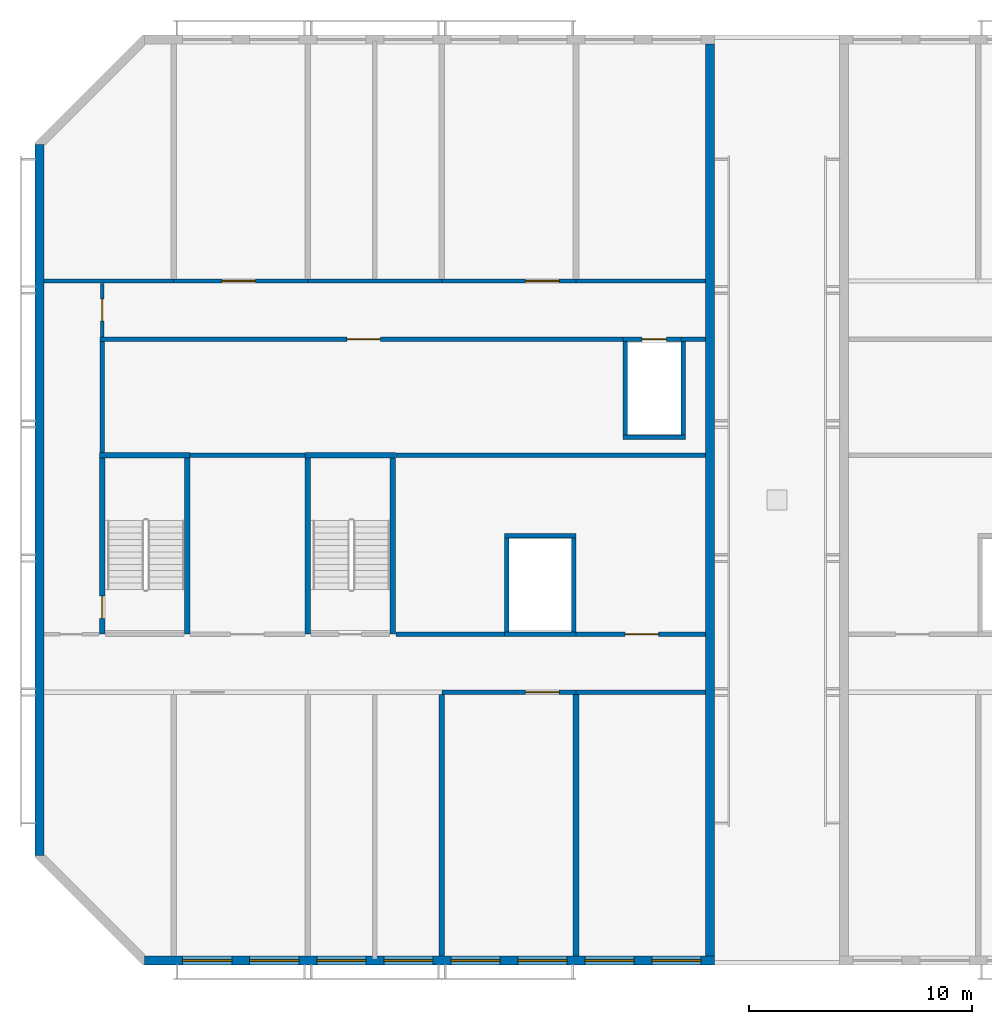
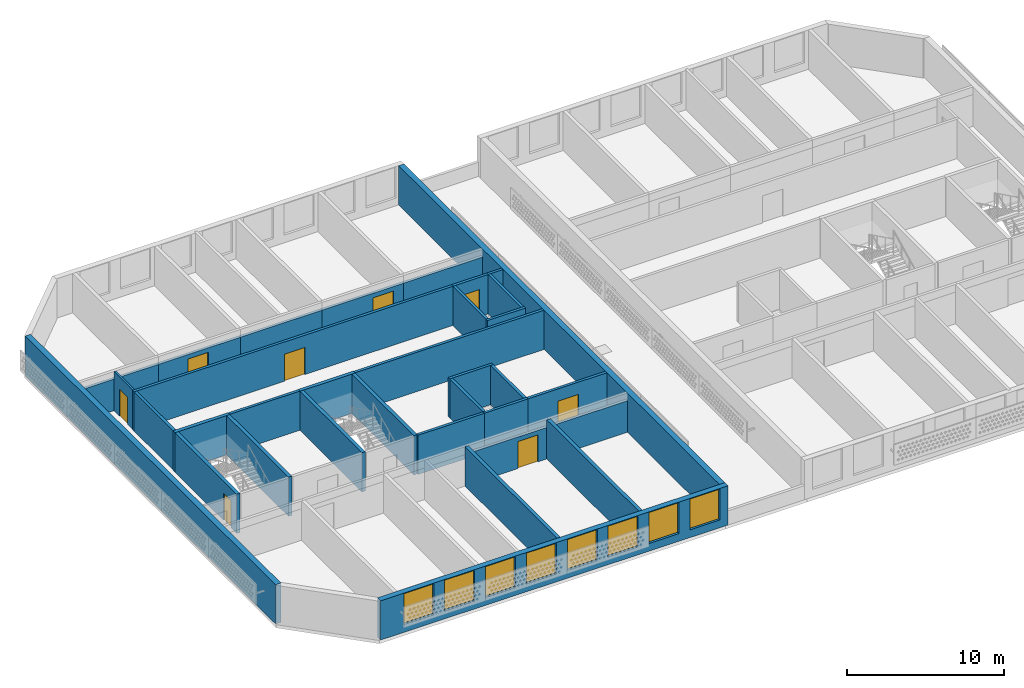
# One storey, part 2 of 18: 34 walls, 8 doors, 8 windows, 16 openings.
"""IFC4 building model written with IfcOpenShell, lengths in metres."""

from ifc_helpers import new_model, si_unit, direction, frame, frame_2d, origin, place, context, subcontext, project, spatial, rectangle, extrude, material, layer, layer_set, type_object, element, fill, save


model = new_model("IFC4")

# Units and contexts
model_context = context("Model", 3, precision=1e-05, world=origin(), true_north=direction((0.0, 1.0)))
body_context = subcontext(model_context, "Body", "Model", "MODEL_VIEW")
ifc_project = project(units=[si_unit("LENGTHUNIT", "METRE"), si_unit("AREAUNIT", "SQUARE_METRE"), si_unit("VOLUMEUNIT", "CUBIC_METRE"), si_unit("PLANEANGLEUNIT", "RADIAN"), si_unit("MASSUNIT", "GRAM", prefix="KILO")], contexts=[model_context])

# Site, building, storey
site_placement = place(None, origin())
site = spatial("IfcSite", under=ifc_project, at=site_placement, CompositionType="ELEMENT")
building_placement = place(site_placement, origin())
building = spatial("IfcBuilding", under=site, at=building_placement, Name="Poui Terraces", CompositionType="ELEMENT")
storey_placement = place(building_placement, frame((0.0, 0.0, 272.39990234375)))
storey = spatial("IfcBuildingStorey", under=building, at=storey_placement, Name="L75 CROWN", CompositionType="ELEMENT", Elevation=272.39990234375)

# Wall, opening, door
ifc_material_1 = material(Name="Fire-rated plasterboard wall")
ifc_layer_1 = layer(ifc_material_1, 0.14990234375)
ifc_layer_set_1 = layer_set([ifc_layer_1], Name="Fire-rated plasterboard wall")
wall_type_1 = type_object("IfcWallType", Name="CORRIDOR WALL 150", PredefinedType="PARTITIONING", material=ifc_layer_set_1)
wall_1_placement = place(storey_placement, frame((20.800048828125, 27.89990234375, 0.0), z_axis=(0.0, 0.0, 1.0), x_axis=(0.0, 1.0, 0.0)))
wall_1 = element("IfcWall", 1, at=wall_1_placement, inside=storey, type_object=wall_type_1, Name="CORRIDOR WALL 150", PredefinedType="PARTITIONING", context=body_context, shape_type="SweptSolid", body=[
    extrude(rectangle(XDim=2.39013671875, YDim=0.14990234375, at=frame_2d((1.195068359375, 0.0))), origin(), (0.0, 0.0, 1.0), 3.050048828125),
])
opening_1_placement = place(wall_1_placement, frame((0.699951171875, 0.0, 0.0)))
opening_1 = element("IfcOpeningElement", 2, at=opening_1_placement, cuts=wall_1, Name="Opening FDL", PredefinedType="OPENING", context=body_context, shape_type="SweptSolid", body=[
    extrude(rectangle(XDim=1.0, YDim=2.10009765625, at=frame_2d((0.5, 1.050048828125))), frame((0.0, 0.0849609375, 0.0), z_axis=(0.0, -1.0, 0.0), x_axis=(1.0, 0.0, 0.0)), (0.0, 0.0, 1.0), 0.169921875),
])
ifc_material_2 = material(Name="Steel fire door", Category="steel")
door_type_1 = type_object("IfcDoorType", Name="LOBBY FIRE DOOR 1000 X 2100", OperationType="NOTDEFINED", PredefinedType="DOOR", material=ifc_material_2)
door_1_placement = place(opening_1_placement, origin())
door_1 = element("IfcDoor", 3, at=door_1_placement, inside=storey, type_object=door_type_1, Name="LOBBY FIRE DOOR 022", OperationType="SINGLE_SWING_LEFT", OverallHeight=2.10009765625, OverallWidth=1.0, PredefinedType="DOOR", context=body_context, shape_type="SweptSolid", body=[
    extrude(rectangle(XDim=1.0, YDim=2.10009765625, at=frame_2d((0.5, 1.050048828125))), frame((0.0, 0.02490234375, 0.0), z_axis=(0.0, -1.0, 0.0), x_axis=(1.0, 0.0, 0.0)), (0.0, 0.0, 1.0), 0.050048828125),
])
fill(opening_1, door_1)

ifc_material_3 = material(Name="Concrete 50 MPa", Category="concrete")
ifc_layer_2 = layer(ifc_material_3, 0.199951171875)
ifc_layer_set_2 = layer_set([ifc_layer_2], Name="Concrete 50 MPa")
wall_type_2 = type_object("IfcWallType", Name="CORRIDOR WALL 200 50MPa", PredefinedType="SHEAR", material=ifc_layer_set_2)
wall_2_placement = place(storey_placement, frame((36.0, 12.0, 0.0), z_axis=(0.0, 0.0, 1.0), x_axis=(1.0, 0.0, 0.0)))
wall_2 = element("IfcWall", 4, at=wall_2_placement, inside=storey, type_object=wall_type_2, Name="CORRIDOR WALL LINE B BAY W4", PredefinedType="SHEAR", context=body_context, shape_type="SweptSolid", body=[
    extrude(rectangle(XDim=6.0, YDim=0.199951171875, at=frame_2d((3.0, 0.0))), origin(), (0.0, 0.0, 1.0), 2.4501953125),
])
opening_2_placement = place(wall_2_placement, frame((3.75, 0.0, 0.0)))
opening_2 = element("IfcOpeningElement", 5, at=opening_2_placement, cuts=wall_2, Name="Opening FDP", PredefinedType="OPENING", context=body_context, shape_type="SweptSolid", body=[
    extrude(rectangle(XDim=1.5, YDim=2.10009765625, at=frame_2d((0.75, 1.050048828125))), frame((0.0, 0.10986328125, 0.0), z_axis=(0.0, -1.0, 0.0), x_axis=(1.0, 0.0, 0.0)), (0.0, 0.0, 1.0), 0.219970703125),
])
door_type_2 = type_object("IfcDoorType", Name="PLANT ROOM DOOR PAIR 1500 X 2100", OperationType="DOUBLE_DOOR_SINGLE_SWING", PredefinedType="DOOR", material=ifc_material_2)
door_2_placement = place(opening_2_placement, origin())
door_2 = element("IfcDoor", 6, at=door_2_placement, inside=storey, type_object=door_type_2, Name="PLANT ROOM DOOR PAIR 018", OperationType="DOUBLE_DOOR_SINGLE_SWING", OverallHeight=2.10009765625, OverallWidth=1.5, PredefinedType="DOOR", context=body_context, shape_type="SweptSolid", body=[
    extrude(rectangle(XDim=1.5, YDim=2.10009765625, at=frame_2d((0.75, 1.050048828125))), frame((0.0, 0.02490234375, 0.0), z_axis=(0.0, -1.0, 0.0), x_axis=(1.0, 0.0, 0.0)), (0.0, 0.0, 1.0), 0.050048828125),
])
fill(opening_2, door_2)

# Walls
for number, where, z_axis, x_axis, name in (
    (7, (42.0, 12.0, 0.0), (0.0, 0.0, 1.0), (1.0, 0.0, 0.0), "CORRIDOR WALL LINE B BAY W5"),
    (8, (18.199951171875, 30.39990234375, 0.0), (0.0, 0.0, 1.0), (1.0, 0.0, 0.0), "CORRIDOR WALL LINE E BAY W1"),
):
    element("IfcWall", number, at=place(storey_placement, frame(where, z_axis=z_axis, x_axis=x_axis)), inside=storey, type_object=wall_type_2, Name=name, PredefinedType="SHEAR", context=body_context, shape_type="SweptSolid", body=[
        extrude(rectangle(XDim=5.800048828125, YDim=0.199951171875, at=frame_2d((2.89990234375, 0.0))), origin(), (0.0, 0.0, 1.0), 2.4501953125),
    ])

# Wall, opening, door
wall_3_placement = place(storey_placement, frame((24.0, 30.39990234375, 0.0), z_axis=(0.0, 0.0, 1.0), x_axis=(1.0, 0.0, 0.0)))
wall_3 = element("IfcWall", 9, at=wall_3_placement, inside=storey, type_object=wall_type_2, Name="CORRIDOR WALL LINE E BAY W2", PredefinedType="SHEAR", context=body_context, shape_type="SweptSolid", body=[
    extrude(rectangle(XDim=6.0, YDim=0.199951171875, at=frame_2d((3.0, 0.0))), origin(), (0.0, 0.0, 1.0), 2.4501953125),
])
opening_3_placement = place(wall_3_placement, frame((2.14990234375, 0.0, 0.0)))
opening_3 = element("IfcOpeningElement", 10, at=opening_3_placement, cuts=wall_3, Name="Opening FDP", PredefinedType="OPENING", context=body_context, shape_type="SweptSolid", body=[
    extrude(rectangle(XDim=1.5, YDim=2.10009765625, at=frame_2d((0.75, 1.050048828125))), frame((0.0, 0.10986328125, 0.0), z_axis=(0.0, -1.0, 0.0), x_axis=(1.0, 0.0, 0.0)), (0.0, 0.0, 1.0), 0.219970703125),
])
door_3_placement = place(opening_3_placement, frame((1.5, 0.0, 0.0), z_axis=(0.0, 0.0, 1.0), x_axis=(-1.0, 0.0, 0.0)))
door_3 = element("IfcDoor", 11, at=door_3_placement, inside=storey, type_object=door_type_2, Name="PLANT ROOM DOOR PAIR 012", OperationType="DOUBLE_DOOR_SINGLE_SWING", OverallHeight=2.10009765625, OverallWidth=1.5, PredefinedType="DOOR", context=body_context, shape_type="SweptSolid", body=[
    extrude(rectangle(XDim=1.5, YDim=2.10009765625, at=frame_2d((0.75, 1.050048828125))), frame((0.0, 0.02490234375, 0.0), z_axis=(0.0, -1.0, 0.0), x_axis=(1.0, 0.0, 0.0)), (0.0, 0.0, 1.0), 0.050048828125),
])
fill(opening_3, door_3)

# Wall
wall_4_placement = place(storey_placement, frame((30.0, 30.39990234375, 0.0), z_axis=(0.0, 0.0, 1.0), x_axis=(1.0, 0.0, 0.0)))
element("IfcWall", 12, at=wall_4_placement, inside=storey, type_object=wall_type_2, Name="CORRIDOR WALL LINE E BAY W3", PredefinedType="SHEAR", context=body_context, shape_type="SweptSolid", body=[
    extrude(rectangle(XDim=6.0, YDim=0.199951171875, at=frame_2d((3.0, 0.0))), origin(), (0.0, 0.0, 1.0), 2.4501953125),
])

# Wall, opening, door
wall_5_placement = place(storey_placement, frame((36.0, 30.39990234375, 0.0), z_axis=(0.0, 0.0, 1.0), x_axis=(1.0, 0.0, 0.0)))
wall_5 = element("IfcWall", 13, at=wall_5_placement, inside=storey, type_object=wall_type_2, Name="CORRIDOR WALL LINE E BAY W4", PredefinedType="SHEAR", context=body_context, shape_type="SweptSolid", body=[
    extrude(rectangle(XDim=6.0, YDim=0.199951171875, at=frame_2d((3.0, 0.0))), origin(), (0.0, 0.0, 1.0), 2.4501953125),
])
opening_4_placement = place(wall_5_placement, frame((3.75, 0.0, 0.0)))
opening_4 = element("IfcOpeningElement", 14, at=opening_4_placement, cuts=wall_5, Name="Opening FDP", PredefinedType="OPENING", context=body_context, shape_type="SweptSolid", body=[
    extrude(rectangle(XDim=1.5, YDim=2.10009765625, at=frame_2d((0.75, 1.050048828125))), frame((0.0, 0.10986328125, 0.0), z_axis=(0.0, -1.0, 0.0), x_axis=(1.0, 0.0, 0.0)), (0.0, 0.0, 1.0), 0.219970703125),
])
door_4_placement = place(opening_4_placement, frame((1.5, 0.0, 0.0), z_axis=(0.0, 0.0, 1.0), x_axis=(-1.0, 0.0, 0.0)))
door_4 = element("IfcDoor", 15, at=door_4_placement, inside=storey, type_object=door_type_2, Name="PLANT ROOM DOOR PAIR 014", OperationType="DOUBLE_DOOR_SINGLE_SWING", OverallHeight=2.10009765625, OverallWidth=1.5, PredefinedType="DOOR", context=body_context, shape_type="SweptSolid", body=[
    extrude(rectangle(XDim=1.5, YDim=2.10009765625, at=frame_2d((0.75, 1.050048828125))), frame((0.0, 0.02490234375, 0.0), z_axis=(0.0, -1.0, 0.0), x_axis=(1.0, 0.0, 0.0)), (0.0, 0.0, 1.0), 0.050048828125),
])
fill(opening_4, door_4)

# Walls
wall_6_placement = place(storey_placement, frame((42.0, 30.39990234375, 0.0), z_axis=(0.0, 0.0, 1.0), x_axis=(1.0, 0.0, 0.0)))
element("IfcWall", 16, at=wall_6_placement, inside=storey, type_object=wall_type_2, Name="CORRIDOR WALL LINE E BAY W5", PredefinedType="SHEAR", context=body_context, shape_type="SweptSolid", body=[
    extrude(rectangle(XDim=5.800048828125, YDim=0.199951171875, at=frame_2d((2.89990234375, 0.0))), origin(), (0.0, 0.0, 1.0), 2.4501953125),
])
ifc_layer_3 = layer(ifc_material_3, 0.25)
ifc_layer_set_3 = layer_set([ifc_layer_3], Name="Concrete 50 MPa")
wall_type_3 = type_object("IfcWallType", Name="CROSS WALL 250 50MPa", PredefinedType="SHEAR", material=ifc_layer_set_3)
for number, where, z_axis, x_axis, name in (
    (17, (36.0, 0.199951171875, 0.0), (0.0, 0.0, 1.0), (0.0, 1.0, 0.0), "CROSS WALL LINE 7 SOUTH"),
    (18, (42.0, 0.199951171875, 0.0), (0.0, 0.0, 1.0), (0.0, 1.0, 0.0), "CROSS WALL LINE 8 SOUTH"),
):
    element("IfcWall", number, at=place(storey_placement, frame(where, z_axis=z_axis, x_axis=x_axis)), inside=storey, type_object=wall_type_3, Name=name, PredefinedType="SHEAR", context=body_context, shape_type="SweptSolid", body=[
        extrude(rectangle(XDim=11.699951171875, YDim=0.25, at=frame_2d((5.85009765625, 0.0))), origin(), (0.0, 0.0, 1.0), 3.050048828125),
    ])
ifc_layer_4 = layer(ifc_material_3, 0.39990234375)
ifc_layer_set_4 = layer_set([ifc_layer_4], Name="Concrete 50 MPa")
wall_type_4 = type_object("IfcWallType", Name="END WALL 400 50MPa", PredefinedType="SHEAR", material=ifc_layer_set_4)
wall_7_placement = place(storey_placement, frame((18.0, 4.682861328125, 0.0), z_axis=(0.0, 0.0, 1.0), x_axis=(0.0, 1.0, 0.0)))
element("IfcWall", 19, at=wall_7_placement, inside=storey, type_object=wall_type_4, Name="END WALL LINE 4", PredefinedType="SHEAR", context=body_context, shape_type="SweptSolid", body=[
    extrude(rectangle(XDim=31.834228515625, YDim=0.39990234375, at=frame_2d((15.9169921875, 0.0))), origin(), (0.0, 0.0, 1.0), 3.050048828125),
])
wall_8_placement = place(storey_placement, frame((48.0, 0.199951171875, 0.0), z_axis=(0.0, 0.0, 1.0), x_axis=(0.0, 1.0, 0.0)))
element("IfcWall", 20, at=wall_8_placement, inside=storey, type_object=wall_type_4, Name="END WALL LINE 9", PredefinedType="SHEAR", context=body_context, shape_type="SweptSolid", body=[
    extrude(rectangle(XDim=40.800048828125, YDim=0.39990234375, at=frame_2d((20.39990234375, 0.0))), origin(), (0.0, 0.0, 1.0), 3.050048828125),
])

# Wall, openings, windows
ifc_material_4 = material(Name="Precast concrete 40 MPa", Category="concrete")
ifc_layer_5 = layer(ifc_material_4, 0.39990234375)
ifc_layer_set_5 = layer_set([ifc_layer_5], Name="Precast concrete 40 MPa")
wall_type_5 = type_object("IfcWallType", Name="EXTERNAL WALL 400", PredefinedType="STANDARD", material=ifc_layer_set_5)
wall_9_placement = place(storey_placement, frame((22.682861328125, 0.0, 0.0), z_axis=(0.0, 0.0, 1.0), x_axis=(1.0, 0.0, 0.0)))
wall_9 = element("IfcWall", 21, at=wall_9_placement, inside=storey, type_object=wall_type_5, Name="EXTERNAL WALL S", PredefinedType="STANDARD", context=body_context, shape_type="SweptSolid", body=[
    extrude(rectangle(XDim=25.51708984375, YDim=0.39990234375, at=frame_2d((12.758544921875, 0.0))), origin(), (0.0, 0.0, 1.0), 3.050048828125),
])
opening_5_placement = place(wall_9_placement, frame((1.71728515625, 0.0, 0.60009765625)))
opening_5 = element("IfcOpeningElement", 22, at=opening_5_placement, cuts=wall_9, Name="Opening W5", PredefinedType="OPENING", context=body_context, shape_type="SweptSolid", body=[
    extrude(rectangle(XDim=2.199951171875, YDim=2.39990234375, at=frame_2d((1.10009765625, 1.199951171875))), frame((0.0, 0.2099609375, 0.0), z_axis=(0.0, -1.0, 0.0), x_axis=(1.0, 0.0, 0.0)), (0.0, 0.0, 1.0), 0.419921875),
])
opening_6_placement = place(wall_9_placement, frame((4.71728515625, 0.0, 0.60009765625)))
opening_6 = element("IfcOpeningElement", 23, at=opening_6_placement, cuts=wall_9, Name="Opening W5", PredefinedType="OPENING", context=body_context, shape_type="SweptSolid", body=[
    extrude(rectangle(XDim=2.199951171875, YDim=2.39990234375, at=frame_2d((1.10009765625, 1.199951171875))), frame((0.0, 0.2099609375, 0.0), z_axis=(0.0, -1.0, 0.0), x_axis=(1.0, 0.0, 0.0)), (0.0, 0.0, 1.0), 0.419921875),
])
opening_7_placement = place(wall_9_placement, frame((7.71728515625, 0.0, 0.60009765625)))
opening_7 = element("IfcOpeningElement", 24, at=opening_7_placement, cuts=wall_9, Name="Opening W5", PredefinedType="OPENING", context=body_context, shape_type="SweptSolid", body=[
    extrude(rectangle(XDim=2.199951171875, YDim=2.39990234375, at=frame_2d((1.10009765625, 1.199951171875))), frame((0.0, 0.2099609375, 0.0), z_axis=(0.0, -1.0, 0.0), x_axis=(1.0, 0.0, 0.0)), (0.0, 0.0, 1.0), 0.419921875),
])
opening_8_placement = place(wall_9_placement, frame((10.71728515625, 0.0, 0.60009765625)))
opening_8 = element("IfcOpeningElement", 25, at=opening_8_placement, cuts=wall_9, Name="Opening W5", PredefinedType="OPENING", context=body_context, shape_type="SweptSolid", body=[
    extrude(rectangle(XDim=2.199951171875, YDim=2.39990234375, at=frame_2d((1.10009765625, 1.199951171875))), frame((0.0, 0.2099609375, 0.0), z_axis=(0.0, -1.0, 0.0), x_axis=(1.0, 0.0, 0.0)), (0.0, 0.0, 1.0), 0.419921875),
])
opening_9_placement = place(wall_9_placement, frame((13.71728515625, 0.0, 0.60009765625)))
opening_9 = element("IfcOpeningElement", 26, at=opening_9_placement, cuts=wall_9, Name="Opening W5", PredefinedType="OPENING", context=body_context, shape_type="SweptSolid", body=[
    extrude(rectangle(XDim=2.199951171875, YDim=2.39990234375, at=frame_2d((1.10009765625, 1.199951171875))), frame((0.0, 0.2099609375, 0.0), z_axis=(0.0, -1.0, 0.0), x_axis=(1.0, 0.0, 0.0)), (0.0, 0.0, 1.0), 0.419921875),
])
opening_10_placement = place(wall_9_placement, frame((16.71728515625, 0.0, 0.60009765625)))
opening_10 = element("IfcOpeningElement", 27, at=opening_10_placement, cuts=wall_9, Name="Opening W5", PredefinedType="OPENING", context=body_context, shape_type="SweptSolid", body=[
    extrude(rectangle(XDim=2.199951171875, YDim=2.39990234375, at=frame_2d((1.10009765625, 1.199951171875))), frame((0.0, 0.2099609375, 0.0), z_axis=(0.0, -1.0, 0.0), x_axis=(1.0, 0.0, 0.0)), (0.0, 0.0, 1.0), 0.419921875),
])
opening_11_placement = place(wall_9_placement, frame((19.71728515625, 0.0, 0.60009765625)))
opening_11 = element("IfcOpeningElement", 28, at=opening_11_placement, cuts=wall_9, Name="Opening W5", PredefinedType="OPENING", context=body_context, shape_type="SweptSolid", body=[
    extrude(rectangle(XDim=2.199951171875, YDim=2.39990234375, at=frame_2d((1.10009765625, 1.199951171875))), frame((0.0, 0.2099609375, 0.0), z_axis=(0.0, -1.0, 0.0), x_axis=(1.0, 0.0, 0.0)), (0.0, 0.0, 1.0), 0.419921875),
])
opening_12_placement = place(wall_9_placement, frame((22.71728515625, 0.0, 0.60009765625)))
opening_12 = element("IfcOpeningElement", 29, at=opening_12_placement, cuts=wall_9, Name="Opening W5", PredefinedType="OPENING", context=body_context, shape_type="SweptSolid", body=[
    extrude(rectangle(XDim=2.199951171875, YDim=2.39990234375, at=frame_2d((1.10009765625, 1.199951171875))), frame((0.0, 0.2099609375, 0.0), z_axis=(0.0, -1.0, 0.0), x_axis=(1.0, 0.0, 0.0)), (0.0, 0.0, 1.0), 0.419921875),
])
ifc_material_5 = material(Name="Clear glass in aluminium frame", Category="aluminium")
window_type = type_object("IfcWindowType", Name="WINDOW 2200X2400", PartitioningType="TRIPLE_PANEL_HORIZONTAL", PredefinedType="WINDOW", material=ifc_material_5)
window_1_placement = place(opening_5_placement, origin())
window_1 = element("IfcWindow", 30, at=window_1_placement, inside=storey, type_object=window_type, Name="W5 WINDOW", OverallHeight=2.39990234375, OverallWidth=2.199951171875, PartitioningType="TRIPLE_PANEL_HORIZONTAL", PredefinedType="WINDOW", context=body_context, shape_type="SweptSolid", body=[
    extrude(rectangle(XDim=2.199951171875, YDim=2.39990234375, at=frame_2d((1.10009765625, 1.199951171875))), frame((0.0, 0.030029296875, 0.0), z_axis=(0.0, -1.0, 0.0), x_axis=(1.0, 0.0, 0.0)), (0.0, 0.0, 1.0), 0.06005859375),
])
fill(opening_5, window_1)
window_2_placement = place(opening_6_placement, origin())
window_2 = element("IfcWindow", 31, at=window_2_placement, inside=storey, type_object=window_type, Name="W5 WINDOW", OverallHeight=2.39990234375, OverallWidth=2.199951171875, PartitioningType="TRIPLE_PANEL_HORIZONTAL", PredefinedType="WINDOW", context=body_context, shape_type="SweptSolid", body=[
    extrude(rectangle(XDim=2.199951171875, YDim=2.39990234375, at=frame_2d((1.10009765625, 1.199951171875))), frame((0.0, 0.030029296875, 0.0), z_axis=(0.0, -1.0, 0.0), x_axis=(1.0, 0.0, 0.0)), (0.0, 0.0, 1.0), 0.06005859375),
])
fill(opening_6, window_2)
window_3_placement = place(opening_7_placement, origin())
window_3 = element("IfcWindow", 32, at=window_3_placement, inside=storey, type_object=window_type, Name="W5 WINDOW", OverallHeight=2.39990234375, OverallWidth=2.199951171875, PartitioningType="TRIPLE_PANEL_HORIZONTAL", PredefinedType="WINDOW", context=body_context, shape_type="SweptSolid", body=[
    extrude(rectangle(XDim=2.199951171875, YDim=2.39990234375, at=frame_2d((1.10009765625, 1.199951171875))), frame((0.0, 0.030029296875, 0.0), z_axis=(0.0, -1.0, 0.0), x_axis=(1.0, 0.0, 0.0)), (0.0, 0.0, 1.0), 0.06005859375),
])
fill(opening_7, window_3)
window_4_placement = place(opening_8_placement, origin())
window_4 = element("IfcWindow", 33, at=window_4_placement, inside=storey, type_object=window_type, Name="W5 WINDOW", OverallHeight=2.39990234375, OverallWidth=2.199951171875, PartitioningType="TRIPLE_PANEL_HORIZONTAL", PredefinedType="WINDOW", context=body_context, shape_type="SweptSolid", body=[
    extrude(rectangle(XDim=2.199951171875, YDim=2.39990234375, at=frame_2d((1.10009765625, 1.199951171875))), frame((0.0, 0.030029296875, 0.0), z_axis=(0.0, -1.0, 0.0), x_axis=(1.0, 0.0, 0.0)), (0.0, 0.0, 1.0), 0.06005859375),
])
fill(opening_8, window_4)
window_5_placement = place(opening_9_placement, origin())
window_5 = element("IfcWindow", 34, at=window_5_placement, inside=storey, type_object=window_type, Name="W5 WINDOW", OverallHeight=2.39990234375, OverallWidth=2.199951171875, PartitioningType="TRIPLE_PANEL_HORIZONTAL", PredefinedType="WINDOW", context=body_context, shape_type="SweptSolid", body=[
    extrude(rectangle(XDim=2.199951171875, YDim=2.39990234375, at=frame_2d((1.10009765625, 1.199951171875))), frame((0.0, 0.030029296875, 0.0), z_axis=(0.0, -1.0, 0.0), x_axis=(1.0, 0.0, 0.0)), (0.0, 0.0, 1.0), 0.06005859375),
])
fill(opening_9, window_5)
window_6_placement = place(opening_10_placement, origin())
window_6 = element("IfcWindow", 35, at=window_6_placement, inside=storey, type_object=window_type, Name="W5 WINDOW", OverallHeight=2.39990234375, OverallWidth=2.199951171875, PartitioningType="TRIPLE_PANEL_HORIZONTAL", PredefinedType="WINDOW", context=body_context, shape_type="SweptSolid", body=[
    extrude(rectangle(XDim=2.199951171875, YDim=2.39990234375, at=frame_2d((1.10009765625, 1.199951171875))), frame((0.0, 0.030029296875, 0.0), z_axis=(0.0, -1.0, 0.0), x_axis=(1.0, 0.0, 0.0)), (0.0, 0.0, 1.0), 0.06005859375),
])
fill(opening_10, window_6)
window_7_placement = place(opening_11_placement, origin())
window_7 = element("IfcWindow", 36, at=window_7_placement, inside=storey, type_object=window_type, Name="W5 WINDOW", OverallHeight=2.39990234375, OverallWidth=2.199951171875, PartitioningType="TRIPLE_PANEL_HORIZONTAL", PredefinedType="WINDOW", context=body_context, shape_type="SweptSolid", body=[
    extrude(rectangle(XDim=2.199951171875, YDim=2.39990234375, at=frame_2d((1.10009765625, 1.199951171875))), frame((0.0, 0.030029296875, 0.0), z_axis=(0.0, -1.0, 0.0), x_axis=(1.0, 0.0, 0.0)), (0.0, 0.0, 1.0), 0.06005859375),
])
fill(opening_11, window_7)
window_8_placement = place(opening_12_placement, origin())
window_8 = element("IfcWindow", 37, at=window_8_placement, inside=storey, type_object=window_type, Name="W5 WINDOW", OverallHeight=2.39990234375, OverallWidth=2.199951171875, PartitioningType="TRIPLE_PANEL_HORIZONTAL", PredefinedType="WINDOW", context=body_context, shape_type="SweptSolid", body=[
    extrude(rectangle(XDim=2.199951171875, YDim=2.39990234375, at=frame_2d((1.10009765625, 1.199951171875))), frame((0.0, 0.030029296875, 0.0), z_axis=(0.0, -1.0, 0.0), x_axis=(1.0, 0.0, 0.0)), (0.0, 0.0, 1.0), 0.06005859375),
])
fill(opening_12, window_8)

# Wall
ifc_material_6 = material(Name="Fire-rated masonry wall", Category="masonry")
ifc_layer_6 = layer(ifc_material_6, 0.199951171875)
ifc_layer_set_6 = layer_set([ifc_layer_6], Name="Fire-rated masonry wall")
wall_type_6 = type_object("IfcWallType", Name="PLANT ROOM WALL 200", PredefinedType="PARTITIONING", material=ifc_layer_set_6)
wall_10_placement = place(storey_placement, frame((33.93505859375, 14.60009765625, 0.0), z_axis=(0.0, 0.0, 1.0), x_axis=(1.0, 0.0, 0.0)))
element("IfcWall", 38, at=wall_10_placement, inside=storey, type_object=wall_type_6, Name="PLANT ROOM WALL 200", PredefinedType="PARTITIONING", context=body_context, shape_type="SweptSolid", body=[
    extrude(rectangle(XDim=5.06494140625, YDim=0.199951171875, at=frame_2d((2.532470703125, 0.0))), origin(), (0.0, 0.0, 1.0), 3.050048828125),
])

# Wall, opening, door
wall_11_placement = place(storey_placement, frame((41.800048828125, 14.60009765625, 0.0), z_axis=(0.0, 0.0, 1.0), x_axis=(1.0, 0.0, 0.0)))
wall_11 = element("IfcWall", 39, at=wall_11_placement, inside=storey, type_object=wall_type_6, Name="PLANT ROOM WALL 200", PredefinedType="PARTITIONING", context=body_context, shape_type="SweptSolid", body=[
    extrude(rectangle(XDim=5.989990234375, YDim=0.199951171875, at=frame_2d((2.9951171875, 0.0))), origin(), (0.0, 0.0, 1.0), 3.050048828125),
])
opening_13_placement = place(wall_11_placement, frame((2.39990234375, 0.0, 0.0)))
opening_13 = element("IfcOpeningElement", 40, at=opening_13_placement, cuts=wall_11, Name="Opening FDP", PredefinedType="OPENING", context=body_context, shape_type="SweptSolid", body=[
    extrude(rectangle(XDim=1.5, YDim=2.10009765625, at=frame_2d((0.75, 1.050048828125))), frame((0.0, 0.10986328125, 0.0), z_axis=(0.0, -1.0, 0.0), x_axis=(1.0, 0.0, 0.0)), (0.0, 0.0, 1.0), 0.219970703125),
])
door_5_placement = place(opening_13_placement, frame((1.5, 0.0, 0.0), z_axis=(0.0, 0.0, 1.0), x_axis=(-1.0, 0.0, 0.0)))
door_5 = element("IfcDoor", 41, at=door_5_placement, inside=storey, type_object=door_type_2, Name="PLANT ROOM DOOR PAIR 019", OperationType="DOUBLE_DOOR_SINGLE_SWING", OverallHeight=2.10009765625, OverallWidth=1.5, PredefinedType="DOOR", context=body_context, shape_type="SweptSolid", body=[
    extrude(rectangle(XDim=1.5, YDim=2.10009765625, at=frame_2d((0.75, 1.050048828125))), frame((0.0, 0.02490234375, 0.0), z_axis=(0.0, -1.0, 0.0), x_axis=(1.0, 0.0, 0.0)), (0.0, 0.0, 1.0), 0.050048828125),
])
fill(opening_13, door_5)

# Walls
wall_12_placement = place(storey_placement, frame((24.735107421875, 22.60009765625, 0.0), z_axis=(0.0, 0.0, 1.0), x_axis=(1.0, 0.0, 0.0)))
element("IfcWall", 42, at=wall_12_placement, inside=storey, type_object=wall_type_6, Name="PLANT ROOM WALL 200", PredefinedType="PARTITIONING", context=body_context, shape_type="SweptSolid", body=[
    extrude(rectangle(XDim=5.1298828125, YDim=0.199951171875, at=frame_2d((2.56494140625, 0.0))), origin(), (0.0, 0.0, 1.0), 3.050048828125),
])
wall_13_placement = place(storey_placement, frame((33.93505859375, 22.60009765625, 0.0), z_axis=(0.0, 0.0, 1.0), x_axis=(1.0, 0.0, 0.0)))
element("IfcWall", 43, at=wall_13_placement, inside=storey, type_object=wall_type_6, Name="PLANT ROOM WALL 200", PredefinedType="PARTITIONING", context=body_context, shape_type="SweptSolid", body=[
    extrude(rectangle(XDim=13.85498046875, YDim=0.199951171875, at=frame_2d((6.927490234375, 0.0))), origin(), (0.0, 0.0, 1.0), 3.050048828125),
])

# Wall, opening, door
wall_14_placement = place(storey_placement, frame((20.699951171875, 27.800048828125, 0.0), z_axis=(0.0, 0.0, 1.0), x_axis=(1.0, 0.0, 0.0)))
wall_14 = element("IfcWall", 44, at=wall_14_placement, inside=storey, type_object=wall_type_6, Name="PLANT ROOM WALL 200", PredefinedType="PARTITIONING", context=body_context, shape_type="SweptSolid", body=[
    extrude(rectangle(XDim=23.60009765625, YDim=0.199951171875, at=frame_2d((11.800048828125, 0.0))), origin(), (0.0, 0.0, 1.0), 3.050048828125),
])
opening_14_placement = place(wall_14_placement, frame((11.050048828125, 0.0, 0.0)))
opening_14 = element("IfcOpeningElement", 45, at=opening_14_placement, cuts=wall_14, Name="Opening FDP", PredefinedType="OPENING", context=body_context, shape_type="SweptSolid", body=[
    extrude(rectangle(XDim=1.5, YDim=2.10009765625, at=frame_2d((0.75, 1.050048828125))), frame((0.0, 0.10986328125, 0.0), z_axis=(0.0, -1.0, 0.0), x_axis=(1.0, 0.0, 0.0)), (0.0, 0.0, 1.0), 0.219970703125),
])
door_6_placement = place(opening_14_placement, origin())
door_6 = element("IfcDoor", 46, at=door_6_placement, inside=storey, type_object=door_type_2, Name="PLANT ROOM DOOR PAIR 013", OperationType="DOUBLE_DOOR_SINGLE_SWING", OverallHeight=2.10009765625, OverallWidth=1.5, PredefinedType="DOOR", context=body_context, shape_type="SweptSolid", body=[
    extrude(rectangle(XDim=1.5, YDim=2.10009765625, at=frame_2d((0.75, 1.050048828125))), frame((0.0, 0.02490234375, 0.0), z_axis=(0.0, -1.0, 0.0), x_axis=(1.0, 0.0, 0.0)), (0.0, 0.0, 1.0), 0.050048828125),
])
fill(opening_14, door_6)

# Walls
wall_15_placement = place(storey_placement, frame((46.699951171875, 27.800048828125, 0.0), z_axis=(0.0, 0.0, 1.0), x_axis=(1.0, 0.0, 0.0)))
element("IfcWall", 47, at=wall_15_placement, inside=storey, type_object=wall_type_6, Name="PLANT ROOM WALL 200", PredefinedType="PARTITIONING", context=body_context, shape_type="SweptSolid", body=[
    extrude(rectangle(XDim=1.090087890625, YDim=0.199951171875, at=frame_2d((0.544921875, 0.0))), origin(), (0.0, 0.0, 1.0), 3.050048828125),
])
wall_16_placement = place(storey_placement, frame((20.800048828125, 22.735107421875, 0.0), z_axis=(0.0, 0.0, 1.0), x_axis=(0.0, 1.0, 0.0)))
element("IfcWall", 48, at=wall_16_placement, inside=storey, type_object=wall_type_6, Name="PLANT ROOM WALL 200", PredefinedType="PARTITIONING", context=body_context, shape_type="SweptSolid", body=[
    extrude(rectangle(XDim=4.96484375, YDim=0.199951171875, at=frame_2d((2.482421875, 0.0))), origin(), (0.0, 0.0, 1.0), 3.050048828125),
])
ifc_material_7 = material(Name="Fire-rated masonry shaft wall", Category="masonry")
ifc_layer_7 = layer(ifc_material_7, 0.199951171875)
ifc_layer_set_7 = layer_set([ifc_layer_7], Name="Fire-rated masonry shaft wall")
wall_type_7 = type_object("IfcWallType", Name="SHAFT WALL 200", PredefinedType="PARTITIONING", material=ifc_layer_set_7)
for number, where, z_axis, x_axis, name in (
    (49, (38.800048828125, 14.60009765625, 0.0), (0.0, 0.0, 1.0), (1.0, 0.0, 0.0), "SHAFT WALL 200"),
    (50, (38.800048828125, 19.0, 0.0), (0.0, 0.0, 1.0), (1.0, 0.0, 0.0), "SHAFT WALL 200"),
):
    element("IfcWall", number, at=place(storey_placement, frame(where, z_axis=z_axis, x_axis=x_axis)), inside=storey, type_object=wall_type_7, Name=name, PredefinedType="PARTITIONING", context=body_context, shape_type="SweptSolid", body=[
        extrude(rectangle(XDim=3.199951171875, YDim=0.199951171875, at=frame_2d((1.60009765625, 0.0))), origin(), (0.0, 0.0, 1.0), 3.050048828125),
    ])
wall_17_placement = place(storey_placement, frame((44.10009765625, 23.39990234375, 0.0), z_axis=(0.0, 0.0, 1.0), x_axis=(1.0, 0.0, 0.0)))
element("IfcWall", 51, at=wall_17_placement, inside=storey, type_object=wall_type_7, Name="SHAFT WALL 200", PredefinedType="PARTITIONING", context=body_context, shape_type="SweptSolid", body=[
    extrude(rectangle(XDim=2.7998046875, YDim=0.199951171875, at=frame_2d((1.39990234375, 0.0))), origin(), (0.0, 0.0, 1.0), 3.050048828125),
])

# Wall, opening, door
wall_18_placement = place(storey_placement, frame((44.10009765625, 27.800048828125, 0.0), z_axis=(0.0, 0.0, 1.0), x_axis=(1.0, 0.0, 0.0)))
wall_18 = element("IfcWall", 52, at=wall_18_placement, inside=storey, type_object=wall_type_7, Name="SHAFT WALL 200", PredefinedType="PARTITIONING", context=body_context, shape_type="SweptSolid", body=[
    extrude(rectangle(XDim=2.7998046875, YDim=0.199951171875, at=frame_2d((1.39990234375, 0.0))), origin(), (0.0, 0.0, 1.0), 3.050048828125),
])
opening_15_placement = place(wall_18_placement, frame((0.85009765625, 0.0, 0.0)))
opening_15 = element("IfcOpeningElement", 53, at=opening_15_placement, cuts=wall_18, Name="Opening LD", PredefinedType="OPENING", context=body_context, shape_type="SweptSolid", body=[
    extrude(rectangle(XDim=1.10009765625, YDim=2.10009765625, at=frame_2d((0.550048828125, 1.050048828125))), frame((0.0, 0.10986328125, 0.0), z_axis=(0.0, -1.0, 0.0), x_axis=(1.0, 0.0, 0.0)), (0.0, 0.0, 1.0), 0.219970703125),
])
ifc_material_8 = material(Name="Stainless steel sliding door", Category="steel")
door_type_3 = type_object("IfcDoorType", Name="LIFT LANDING DOOR 1100 X 2100", OperationType="DOUBLE_DOOR_SLIDING", PredefinedType="DOOR", material=ifc_material_8)
door_7_placement = place(opening_15_placement, origin())
door_7 = element("IfcDoor", 54, at=door_7_placement, inside=storey, type_object=door_type_3, Name="LANDING DOOR", OperationType="DOUBLE_DOOR_SLIDING", OverallHeight=2.10009765625, OverallWidth=1.10009765625, PredefinedType="DOOR", context=body_context, shape_type="SweptSolid", body=[
    extrude(rectangle(XDim=1.10009765625, YDim=2.10009765625, at=frame_2d((0.550048828125, 1.050048828125))), frame((0.0, 0.02490234375, 0.0), z_axis=(0.0, -1.0, 0.0), x_axis=(1.0, 0.0, 0.0)), (0.0, 0.0, 1.0), 0.050048828125),
])
fill(opening_15, door_7)

# Walls
for number, where, z_axis, x_axis, name in (
    (55, (38.89990234375, 14.699951171875, 0.0), (0.0, 0.0, 1.0), (0.0, 1.0, 0.0), "SHAFT WALL 200"),
    (56, (41.89990234375, 14.699951171875, 0.0), (0.0, 0.0, 1.0), (0.0, 1.0, 0.0), "SHAFT WALL 200"),
    (57, (44.199951171875, 23.5, 0.0), (0.0, 0.0, 1.0), (0.0, 1.0, 0.0), "SHAFT WALL 200"),
    (58, (46.800048828125, 23.5, 0.0), (0.0, 0.0, 1.0), (0.0, 1.0, 0.0), "SHAFT WALL 200"),
):
    element("IfcWall", number, at=place(storey_placement, frame(where, z_axis=z_axis, x_axis=x_axis)), inside=storey, type_object=wall_type_7, Name=name, PredefinedType="PARTITIONING", context=body_context, shape_type="SweptSolid", body=[
        extrude(rectangle(XDim=4.199951171875, YDim=0.199951171875, at=frame_2d((2.10009765625, 0.0))), origin(), (0.0, 0.0, 1.0), 3.050048828125),
    ])

# Wall, opening, door
ifc_layer_8 = layer(ifc_material_3, 0.25)
ifc_layer_set_8 = layer_set([ifc_layer_8], Name="Concrete 50 MPa")
wall_type_8 = type_object("IfcWallType", Name="STAIR CORE WALL 250 50 MPA", PredefinedType="SOLIDWALL", material=ifc_layer_set_8)
wall_19_placement = place(storey_placement, frame((20.800048828125, 14.60009765625, 0.0), z_axis=(0.0, 0.0, 1.0), x_axis=(0.0, 1.0, 0.0)))
wall_19 = element("IfcWall", 59, at=wall_19_placement, inside=storey, type_object=wall_type_8, Name="STAIR CORE WALL", PredefinedType="SOLIDWALL", context=body_context, shape_type="SweptSolid", body=[
    extrude(rectangle(XDim=7.875, YDim=0.25, at=frame_2d((3.9375, 0.0))), origin(), (0.0, 0.0, 1.0), 3.050048828125),
])
opening_16_placement = place(wall_19_placement, frame((0.699951171875, 0.0, 0.0)))
opening_16 = element("IfcOpeningElement", 60, at=opening_16_placement, cuts=wall_19, Name="Opening FD60S", PredefinedType="OPENING", context=body_context, shape_type="SweptSolid", body=[
    extrude(rectangle(XDim=1.0, YDim=2.10009765625, at=frame_2d((0.5, 1.050048828125))), frame((0.0, 0.135009765625, 0.0), z_axis=(0.0, -1.0, 0.0), x_axis=(1.0, 0.0, 0.0)), (0.0, 0.0, 1.0), 0.27001953125),
])
door_type_4 = type_object("IfcDoorType", Name="STAIR DOOR 1000 X 2100", OperationType="NOTDEFINED", PredefinedType="DOOR", material=ifc_material_2)
door_8_placement = place(opening_16_placement, frame((1.0, 0.0, 0.0), z_axis=(0.0, 0.0, 1.0), x_axis=(-1.0, 0.0, 0.0)))
door_8 = element("IfcDoor", 61, at=door_8_placement, inside=storey, type_object=door_type_4, Name="STAIR DOOR 021", OperationType="SINGLE_SWING_RIGHT", OverallHeight=2.10009765625, OverallWidth=1.0, PredefinedType="DOOR", context=body_context, shape_type="SweptSolid", body=[
    extrude(rectangle(XDim=1.0, YDim=2.10009765625, at=frame_2d((0.5, 1.050048828125))), frame((0.0, 0.02490234375, 0.0), z_axis=(0.0, -1.0, 0.0), x_axis=(1.0, 0.0, 0.0)), (0.0, 0.0, 1.0), 0.050048828125),
])
fill(opening_16, door_8)

# Walls
wall_20_placement = place(storey_placement, frame((24.60009765625, 14.60009765625, 0.0), z_axis=(0.0, 0.0, 1.0), x_axis=(0.0, 1.0, 0.0)))
element("IfcWall", 62, at=wall_20_placement, inside=storey, type_object=wall_type_8, Name="STAIR CORE WALL", PredefinedType="SOLIDWALL", context=body_context, shape_type="SweptSolid", body=[
    extrude(rectangle(XDim=7.875, YDim=0.25, at=frame_2d((3.9375, 0.0))), origin(), (0.0, 0.0, 1.0), 3.050048828125),
])
wall_21_placement = place(storey_placement, frame((20.675048828125, 22.60009765625, 0.0), z_axis=(0.0, 0.0, 1.0), x_axis=(1.0, 0.0, 0.0)))
element("IfcWall", 63, at=wall_21_placement, inside=storey, type_object=wall_type_8, Name="STAIR CORE WALL", PredefinedType="SOLIDWALL", context=body_context, shape_type="SweptSolid", body=[
    extrude(rectangle(XDim=4.050048828125, YDim=0.25, at=frame_2d((2.02490234375, 0.0))), origin(), (0.0, 0.0, 1.0), 3.050048828125),
])
for number, where, z_axis, x_axis, name in (
    (64, (30.0, 14.60009765625, 0.0), (0.0, 0.0, 1.0), (0.0, 1.0, 0.0), "STAIR CORE WALL"),
    (65, (33.800048828125, 14.60009765625, 0.0), (0.0, 0.0, 1.0), (0.0, 1.0, 0.0), "STAIR CORE WALL"),
):
    element("IfcWall", number, at=place(storey_placement, frame(where, z_axis=z_axis, x_axis=x_axis)), inside=storey, type_object=wall_type_8, Name=name, PredefinedType="SOLIDWALL", context=body_context, shape_type="SweptSolid", body=[
        extrude(rectangle(XDim=7.875, YDim=0.25, at=frame_2d((3.9375, 0.0))), origin(), (0.0, 0.0, 1.0), 3.050048828125),
    ])
wall_22_placement = place(storey_placement, frame((29.875, 22.60009765625, 0.0), z_axis=(0.0, 0.0, 1.0), x_axis=(1.0, 0.0, 0.0)))
element("IfcWall", 66, at=wall_22_placement, inside=storey, type_object=wall_type_8, Name="STAIR CORE WALL", PredefinedType="SOLIDWALL", context=body_context, shape_type="SweptSolid", body=[
    extrude(rectangle(XDim=4.050048828125, YDim=0.25, at=frame_2d((2.02490234375, 0.0))), origin(), (0.0, 0.0, 1.0), 3.050048828125),
])

save(model, "model.ifc")
